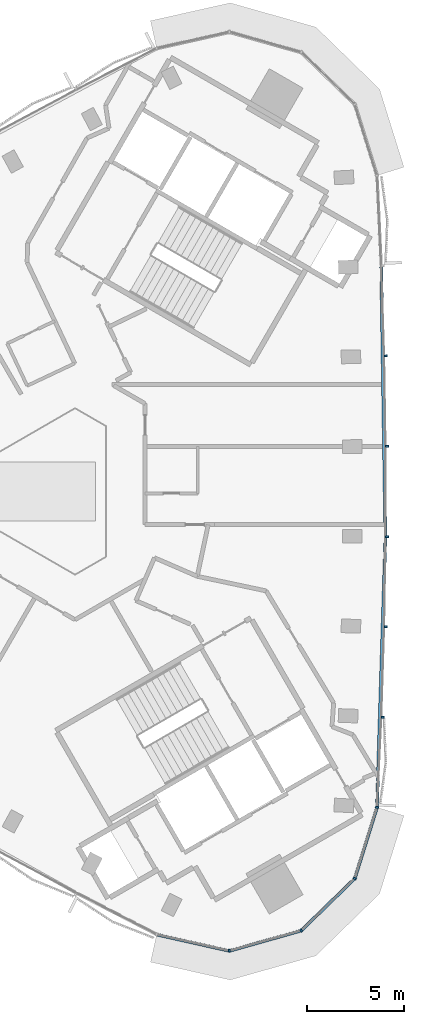
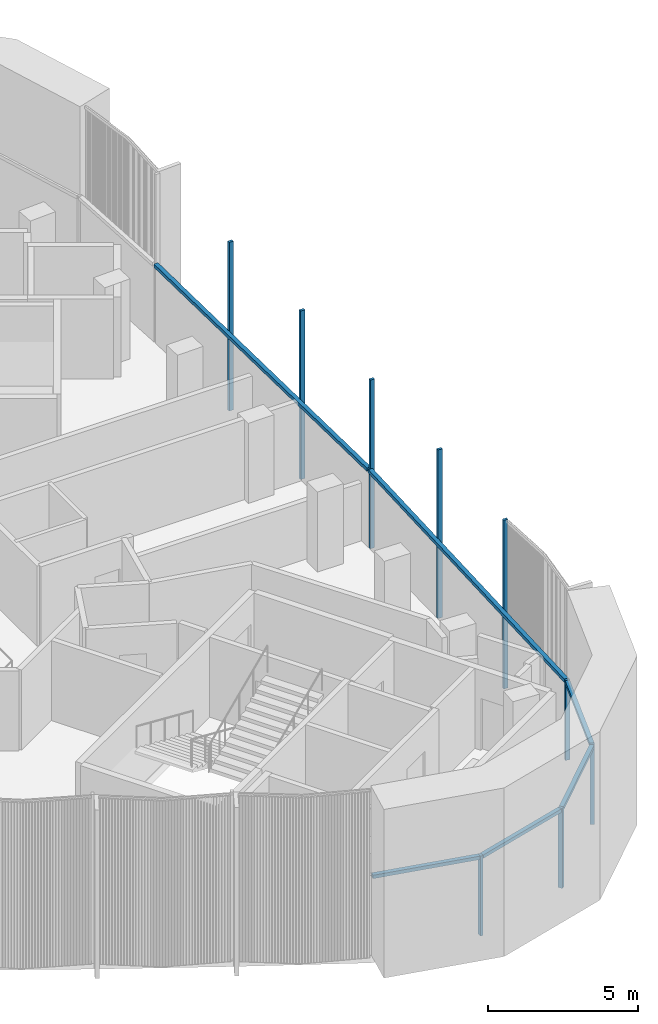
# One storey, part 3 of 12: 15 members, 2 elements without a shape of their own.
"""IFC4 building model written with IfcOpenShell, lengths in metres."""

from ifc_helpers import new_model, si_unit, direction, frame, origin, origin_2d, place, context, subcontext, project, spatial, rectangle, extrude, material, material_profile, profile_set, type_object, element, aggregate, save


model = new_model("IFC4")

# Units and contexts
model_context = context("Model", 3, precision=1e-05, world=origin(), true_north=direction((0.0, 1.0)))
body_context = subcontext(model_context, "Body", "Model", "MODEL_VIEW")
ifc_project = project(units=[si_unit("LENGTHUNIT", "METRE"), si_unit("AREAUNIT", "SQUARE_METRE"), si_unit("VOLUMEUNIT", "CUBIC_METRE"), si_unit("PLANEANGLEUNIT", "RADIAN"), si_unit("MASSUNIT", "GRAM", prefix="KILO")], contexts=[model_context])

# Site, building, storey
site_placement = place(None, origin())
site = spatial("IfcSite", under=ifc_project, at=site_placement, CompositionType="ELEMENT")
building_placement = place(site_placement, origin())
building = spatial("IfcBuilding", under=site, at=building_placement, Name="Tamra Quay Hotel Tower", CompositionType="ELEMENT")
storey_placement = place(building_placement, frame((0.0, 0.0, 262.199951171875)))
storey = spatial("IfcBuildingStorey", under=building, at=storey_placement, Name="L66", CompositionType="ELEMENT", Elevation=262.199951171875)

# Curtain wall, members
ifc_material = material(Name="Aluminium 6063 anodised dark grey", Category="aluminium")
curtain_wall_type_1 = type_object("IfcCurtainWallType", Name="CW1 CURTAIN WALL", PredefinedType="NOTDEFINED", material=ifc_material)
curtain_wall_1_placement = place(storey_placement, origin())
curtain_wall_1 = element("IfcCurtainWall", 1, at=curtain_wall_1_placement, inside=storey, type_object=curtain_wall_type_1, Name="CW1 east face L66", PredefinedType="NOTDEFINED")
ifc_material_profile_1 = material_profile(ifc_material, rectangle(XDim=0.159912109375, YDim=0.10009765625, at=origin_2d()), Name="MULLION 100X160")
ifc_profile_set_1 = profile_set([ifc_material_profile_1], Name="Aluminium 6063 anodised dark grey")
member_type_1 = type_object("IfcMemberType", Name="MULLION CW1 Z6", PredefinedType="MULLION", material=ifc_profile_set_1)
member_1_placement = place(storey_placement, frame((16.89990234375, -16.210205078125, 0.0), z_axis=(0.0, 0.0, 1.0), x_axis=(0.984739919862, -0.174032440167, 0.0)))
member_1 = element("IfcMember", 2, at=member_1_placement, type_object=member_type_1, Name="CW1 mullion L66.E.1", PredefinedType="MULLION", context=body_context, shape_type="SweptSolid", body=[
    extrude(rectangle(XDim=0.159912109375, YDim=0.10009765625, at=origin_2d()), origin(), (0.0, 0.0, 1.0), 3.25),
])
member_2_placement = place(storey_placement, frame((17.19677734375, -11.583984375, 0.0), z_axis=(0.0, 0.0, 1.0), x_axis=(0.999237932992, -0.039032720501, 0.0)))
member_2 = element("IfcMember", 3, at=member_2_placement, type_object=member_type_1, Name="CW1 mullion L66.E.2", PredefinedType="MULLION", context=body_context, shape_type="SweptSolid", body=[
    extrude(rectangle(XDim=0.159912109375, YDim=0.10009765625, at=origin_2d()), origin(), (0.0, 0.0, 1.0), 6.85009765625),
])
member_3_placement = place(storey_placement, frame((17.341552734375, -6.9521484375, 0.0), z_axis=(0.0, 0.0, 1.0), x_axis=(0.999725296711, -0.023437813791, 0.0)))
member_3 = element("IfcMember", 4, at=member_3_placement, type_object=member_type_1, Name="CW1 mullion L66.E.3", PredefinedType="MULLION", context=body_context, shape_type="SweptSolid", body=[
    extrude(rectangle(XDim=0.159912109375, YDim=0.10009765625, at=origin_2d()), origin(), (0.0, 0.0, 1.0), 6.85009765625),
])
member_4_placement = place(storey_placement, frame((17.4140625, -2.317626953125, 0.0), z_axis=(0.0, 0.0, 1.0), x_axis=(0.999969451196, -0.007816436173, 0.0)))
member_4 = element("IfcMember", 5, at=member_4_placement, type_object=member_type_1, Name="CW1 mullion L66.E.4", PredefinedType="MULLION", context=body_context, shape_type="SweptSolid", body=[
    extrude(rectangle(XDim=0.159912109375, YDim=0.10009765625, at=origin_2d()), origin(), (0.0, 0.0, 1.0), 6.85009765625),
])
member_5_placement = place(storey_placement, frame((17.4140625, 2.317626953125, 0.0), z_axis=(0.0, 0.0, 1.0), x_axis=(0.999969451196, 0.007816436173, 0.0)))
member_5 = element("IfcMember", 6, at=member_5_placement, type_object=member_type_1, Name="CW1 mullion L66.E.5", PredefinedType="MULLION", context=body_context, shape_type="SweptSolid", body=[
    extrude(rectangle(XDim=0.159912109375, YDim=0.10009765625, at=origin_2d()), origin(), (0.0, 0.0, 1.0), 6.85009765625),
])
member_6_placement = place(storey_placement, frame((17.341552734375, 6.9521484375, 0.0), z_axis=(0.0, 0.0, 1.0), x_axis=(0.999725296711, 0.023437813791, 0.0)))
member_6 = element("IfcMember", 7, at=member_6_placement, type_object=member_type_1, Name="CW1 mullion L66.E.6", PredefinedType="MULLION", context=body_context, shape_type="SweptSolid", body=[
    extrude(rectangle(XDim=0.159912109375, YDim=0.10009765625, at=origin_2d()), origin(), (0.0, 0.0, 1.0), 6.85009765625),
])

curtain_wall_type_2 = type_object("IfcCurtainWallType", Name="CW3 CURTAIN WALL", PredefinedType="NOTDEFINED", material=ifc_material)
curtain_wall_2_placement = place(storey_placement, origin())
curtain_wall_2 = element("IfcCurtainWall", 8, at=curtain_wall_2_placement, inside=storey, type_object=curtain_wall_type_2, Name="CW3 south-west face L66", PredefinedType="NOTDEFINED")
ifc_material_profile_2 = material_profile(ifc_material, rectangle(XDim=0.159912109375, YDim=0.10009765625, at=origin_2d()), Name="MULLION 100X160")
ifc_profile_set_2 = profile_set([ifc_material_profile_2], Name="Aluminium 6063 anodised dark grey")
member_type_2 = type_object("IfcMemberType", Name="MULLION CW3 Z6", PredefinedType="MULLION", material=ifc_profile_set_2)
member_7_placement = place(storey_placement, frame((9.325927734375, -23.578857421875, 0.0), z_axis=(0.0, 0.0, 1.0), x_axis=(0.027468865497, -0.999622659521, 0.0)))
member_7 = element("IfcMember", 9, at=member_7_placement, type_object=member_type_2, Name="CW3 mullion L66.SW.9", PredefinedType="MULLION", context=body_context, shape_type="SweptSolid", body=[
    extrude(rectangle(XDim=0.159912109375, YDim=0.10009765625, at=origin_2d()), origin(), (0.0, 0.0, 1.0), 3.25),
])
member_8_placement = place(storey_placement, frame((13.01171875, -22.536865234375, 0.0), z_axis=(0.0, 0.0, 1.0), x_axis=(0.5, -0.866025403784, 0.0)))
member_8 = element("IfcMember", 10, at=member_8_placement, type_object=member_type_2, Name="CW3 mullion L66.SW.10", PredefinedType="MULLION", context=body_context, shape_type="SweptSolid", body=[
    extrude(rectangle(XDim=0.159912109375, YDim=0.10009765625, at=origin_2d()), origin(), (0.0, 0.0, 1.0), 3.25),
])
member_9_placement = place(storey_placement, frame((15.757080078125, -19.865966796875, 0.0), z_axis=(0.0, 0.0, 1.0), x_axis=(0.851964184595, -0.523600065094, 0.0)))
member_9 = element("IfcMember", 11, at=member_9_placement, type_object=member_type_2, Name="CW3 mullion L66.SW.11", PredefinedType="MULLION", context=body_context, shape_type="SweptSolid", body=[
    extrude(rectangle(XDim=0.159912109375, YDim=0.10009765625, at=origin_2d()), origin(), (0.0, 0.0, 1.0), 3.25),
])

# Member
ifc_material_profile_3 = material_profile(ifc_material, rectangle(XDim=0.159912109375, YDim=0.139892578125, at=origin_2d()), Name="TRANSOM 160X140")
ifc_profile_set_3 = profile_set([ifc_material_profile_3], Name="Aluminium 6063 anodised dark grey")
member_type_3 = type_object("IfcMemberType", Name="TRANSOM CW1 Z6", PredefinedType="USERDEFINED", material=ifc_profile_set_3)
member_10_placement = place(storey_placement, frame((16.90234375, -16.160400390625, 3.179931640625), z_axis=(0.031224810835, 0.999512386711, 0.0), x_axis=(-0.999512386711, 0.031224810835, 0.0)))
member_10 = element("IfcMember", 12, at=member_10_placement, type_object=member_type_3, Name="CW1 transom L66.E.1", ObjectType="TRANSOM", PredefinedType="USERDEFINED", context=body_context, shape_type="SweptSolid", body=[
    extrude(rectangle(XDim=0.159912109375, YDim=0.139892578125, at=origin_2d()), origin(), (0.0, 0.0, 1.0), 13.80029296875),
])

member_11_placement = place(storey_placement, frame((17.333984375, -2.266845703125, 3.179931640625), z_axis=(-0.015621987524, 0.999877969307, 0.0), x_axis=(-0.999877969307, -0.015621987524, 0.0)))
member_11 = element("IfcMember", 13, at=member_11_placement, type_object=member_type_3, Name="CW1 transom L66.E.4", ObjectType="TRANSOM", PredefinedType="USERDEFINED", context=body_context, shape_type="SweptSolid", body=[
    extrude(rectangle(XDim=0.159912109375, YDim=0.139892578125, at=origin_2d()), origin(), (0.0, 0.0, 1.0), 13.799560546875),
])

aggregate(curtain_wall_1, [member_1, member_10, member_2, member_3, member_4, member_11, member_5, member_6])

ifc_material_profile_4 = material_profile(ifc_material, rectangle(XDim=0.159912109375, YDim=0.139892578125, at=origin_2d()), Name="TRANSOM 160X140")
ifc_profile_set_4 = profile_set([ifc_material_profile_4], Name="Aluminium 6063 anodised dark grey")
member_type_4 = type_object("IfcMemberType", Name="TRANSOM CW3 Z6", PredefinedType="USERDEFINED", material=ifc_profile_set_4)
member_12_placement = place(storey_placement, frame((5.63720703125, -22.751708984375, 3.179931640625), z_axis=(0.975757055509, -0.218856502356, 0.0), x_axis=(0.218856502356, 0.975757055509, 0.0)))
member_12 = element("IfcMember", 14, at=member_12_placement, type_object=member_type_4, Name="CW3 transom L66.SW.8", ObjectType="TRANSOM", PredefinedType="USERDEFINED", context=body_context, shape_type="SweptSolid", body=[
    extrude(rectangle(XDim=0.159912109375, YDim=0.139892578125, at=origin_2d()), origin(), (0.0, 0.0, 1.0), 3.730224609375),
])

member_13_placement = place(storey_placement, frame((9.3740234375, -23.5654296875, 3.179931640625), z_axis=(0.9622784918, 0.272066359955, 0.0), x_axis=(-0.272066359955, 0.9622784918, 0.0)))
member_13 = element("IfcMember", 15, at=member_13_placement, type_object=member_type_4, Name="CW3 transom L66.SW.9", ObjectType="TRANSOM", PredefinedType="USERDEFINED", context=body_context, shape_type="SweptSolid", body=[
    extrude(rectangle(XDim=0.159912109375, YDim=0.139892578125, at=origin_2d()), origin(), (0.0, 0.0, 1.0), 3.730224609375),
])

member_14_placement = place(storey_placement, frame((13.047607421875, -22.501953125, 3.179931640625), z_axis=(0.716759527702, 0.697320428102, 0.0), x_axis=(-0.697320428102, 0.716759527702, 0.0)))
member_14 = element("IfcMember", 16, at=member_14_placement, type_object=member_type_4, Name="CW3 transom L66.SW.10", ObjectType="TRANSOM", PredefinedType="USERDEFINED", context=body_context, shape_type="SweptSolid", body=[
    extrude(rectangle(XDim=0.159912109375, YDim=0.139892578125, at=origin_2d()), origin(), (0.0, 0.0, 1.0), 3.72998046875),
])

member_15_placement = place(storey_placement, frame((15.77197265625, -19.818359375, 3.179931640625), z_axis=(0.298383063983, 0.95444619918, 0.0), x_axis=(-0.95444619918, 0.298383063983, 0.0)))
member_15 = element("IfcMember", 17, at=member_15_placement, type_object=member_type_4, Name="CW3 transom L66.SW.11", ObjectType="TRANSOM", PredefinedType="USERDEFINED", context=body_context, shape_type="SweptSolid", body=[
    extrude(rectangle(XDim=0.159912109375, YDim=0.139892578125, at=origin_2d()), origin(), (0.0, 0.0, 1.0), 3.730224609375),
])

aggregate(curtain_wall_2, [member_12, member_7, member_13, member_8, member_14, member_9, member_15])

save(model, "model.ifc")
